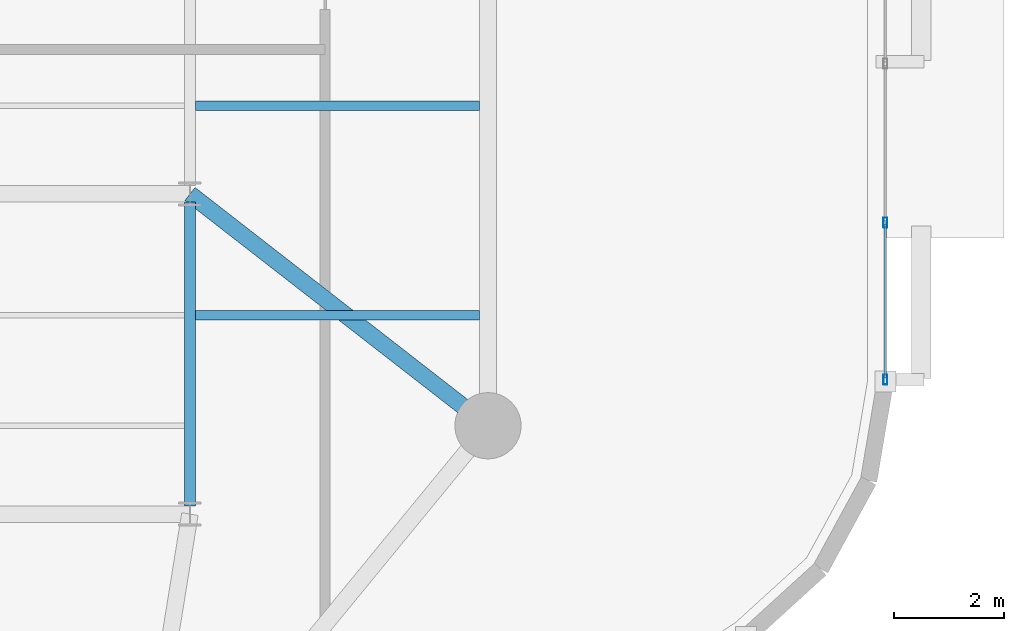
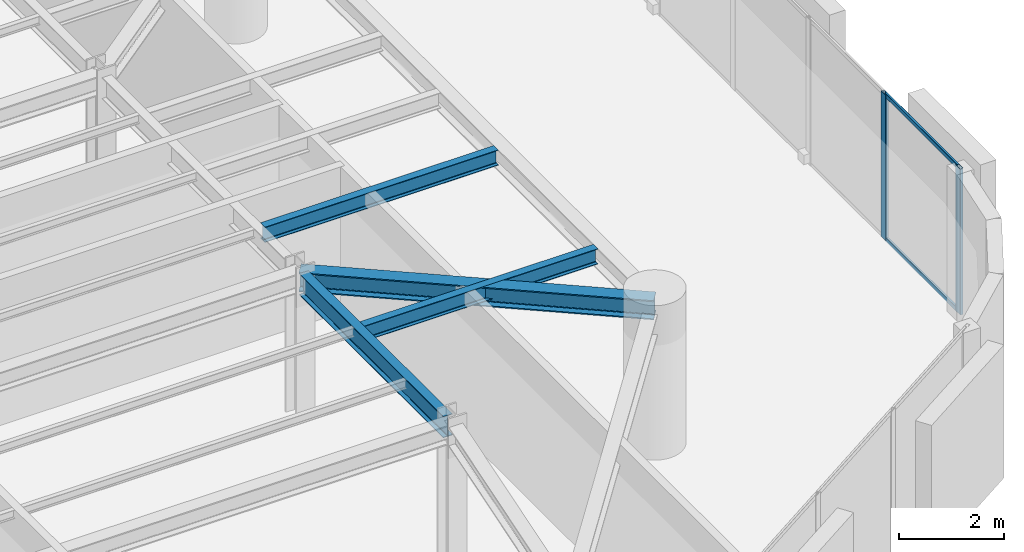
# One storey, part 3 of 14: 4 beams, 4 members, 1 element without a shape of its own.
"""IFC4 building model written with IfcOpenShell, lengths in metres."""

from ifc_helpers import new_model, si_unit, direction, frame, origin, origin_2d, place, context, subcontext, project, spatial, hollow_rectangle, i_section, extrude, material, layer, layer_set, material_profile, profile_set, type_object, element, aggregate, save


model = new_model("IFC4")

# Units and contexts
model_context = context("Model", 3, precision=1e-05, world=origin(), true_north=direction((0.0, 1.0)))
body_context = subcontext(model_context, "Body", "Model", "MODEL_VIEW")
ifc_project = project(units=[si_unit("LENGTHUNIT", "METRE"), si_unit("AREAUNIT", "SQUARE_METRE"), si_unit("VOLUMEUNIT", "CUBIC_METRE"), si_unit("PLANEANGLEUNIT", "RADIAN"), si_unit("MASSUNIT", "GRAM", prefix="KILO")], contexts=[model_context])

# Site, building, storey
site_placement = place(None, origin())
site = spatial("IfcSite", under=ifc_project, at=site_placement, CompositionType="ELEMENT")
building_placement = place(site_placement, origin())
building = spatial("IfcBuilding", under=site, at=building_placement, Name="An Khanh Terracotta Commons", CompositionType="ELEMENT")
storey_placement = place(building_placement, frame((0.0, 0.0, 154.60009765625)))
storey = spatial("IfcBuildingStorey", under=building, at=storey_placement, Name="L40", CompositionType="ELEMENT", Elevation=154.60009765625)

# Beams
ifc_material_1 = material(Name="Steel S355J2", Category="steel")
ifc_material_profile_1 = material_profile(ifc_material_1, i_section(OverallWidth=0.300048828125, OverallDepth=0.449951171875, WebThickness=0.013916015625, FlangeThickness=0.02587890625, FilletRadius=0.027099609375, at=origin_2d()), Name="HEB450")
ifc_profile_set_1 = profile_set([ifc_material_profile_1], Name="Steel S355J2")
beam_type_1 = type_object("IfcBeamType", Name="BM-HEB450", PredefinedType="BEAM", material=ifc_profile_set_1)
beam_1_placement = place(storey_placement, frame((55.800048828125, 16.0, 3.1748046875), z_axis=(-0.789363746927, 0.61392578952, 0.0), x_axis=(-0.61392578952, -0.789363746927, 0.0)))
element("IfcBeam", 1, at=beam_1_placement, inside=storey, type_object=beam_type_1, Name="L40 Mega-Column Tie Girder 3", PredefinedType="BEAM", context=body_context, shape_type="SweptSolid", body=[
    extrude(i_section(OverallWidth=0.300048828125, OverallDepth=0.449951171875, WebThickness=0.013916015625, FlangeThickness=0.02587890625, FilletRadius=0.027099609375, at=origin_2d()), origin(), (0.0, 0.0, 1.0), 6.841064453125),
])
ifc_material_profile_2 = material_profile(ifc_material_1, i_section(OverallWidth=0.169921875, OverallDepth=0.360107421875, WebThickness=0.008056640625, FlangeThickness=0.0126953125, FilletRadius=0.01806640625, at=origin_2d()), Name="IPE360")
ifc_profile_set_2 = profile_set([ifc_material_profile_2], Name="Steel S355J2")
beam_type_2 = type_object("IfcBeamType", Name="BM-IPE360", PredefinedType="JOIST", material=ifc_profile_set_2)
for number, where, z_axis, x_axis, name in (
    (2, (50.5, 18.0, 3.219970703125), (1.0, 0.0, 0.0), (0.0, 1.0, 0.0), "L40 Riverfront Composite Joist 2"),
    (3, (50.5, 21.800048828125, 3.219970703125), (1.0, 0.0, 0.0), (0.0, 1.0, 0.0), "L40 Riverfront Composite Joist 3"),
):
    element("IfcBeam", number, at=place(storey_placement, frame(where, z_axis=z_axis, x_axis=x_axis)), inside=storey, type_object=beam_type_2, Name=name, PredefinedType="JOIST", context=body_context, shape_type="SweptSolid", body=[
        extrude(i_section(OverallWidth=0.169921875, OverallDepth=0.360107421875, WebThickness=0.008056640625, FlangeThickness=0.0126953125, FilletRadius=0.01806640625, at=origin_2d()), origin(), (0.0, 0.0, 1.0), 5.14990234375),
    ])
ifc_material_profile_3 = material_profile(ifc_material_1, i_section(OverallWidth=0.199951171875, OverallDepth=0.5, WebThickness=0.01025390625, FlangeThickness=0.01611328125, FilletRadius=0.02099609375, at=origin_2d()), Name="IPE500")
ifc_profile_set_3 = profile_set([ifc_material_profile_3], Name="Steel S355J2")
beam_type_3 = type_object("IfcBeamType", Name="BM-IPE500", PredefinedType="BEAM", material=ifc_profile_set_3)
beam_2_placement = place(storey_placement, frame((50.39990234375, 14.550048828125, 3.14990234375), z_axis=(0.0, 1.0, 0.0), x_axis=(-1.0, 0.0, 0.0)))
element("IfcBeam", 4, at=beam_2_placement, inside=storey, type_object=beam_type_3, Name="L40 East Spine Girder 1", PredefinedType="BEAM", context=body_context, shape_type="SweptSolid", body=[
    extrude(i_section(OverallWidth=0.199951171875, OverallDepth=0.5, WebThickness=0.01025390625, FlangeThickness=0.01611328125, FilletRadius=0.02099609375, at=origin_2d()), origin(), (0.0, 0.0, 1.0), 5.5),
])

# Curtain wall, members
ifc_material_2 = material(Name="Anodised Aluminium 6063-T6", Category="aluminium")
ifc_layer = layer(ifc_material_2, 0.2099609375, Name="Anodised Aluminium 6063-T6")
ifc_layer_set = layer_set([ifc_layer], Name="Anodised Aluminium 6063-T6")
curtain_wall_type = type_object("IfcCurtainWallType", Name="CW-SYS-03", PredefinedType="USERDEFINED", material=ifc_layer_set)
curtain_wall_placement = place(storey_placement, origin())
curtain_wall = element("IfcCurtainWall", 5, at=curtain_wall_placement, inside=storey, type_object=curtain_wall_type, Name="L40 CW-03 Unitised Curtain Wall CW-L40-12", ObjectType="UNITISED CURTAIN WALL", PredefinedType="USERDEFINED")
ifc_material_profile_4 = material_profile(ifc_material_2, hollow_rectangle(XDim=0.070068359375, YDim=0.179931640625, WallThickness=0.00390625, InnerFilletRadius=0.00390625, OuterFilletRadius=0.008056640625, at=origin_2d()), Name="RHS180x70x4")
ifc_profile_set_4 = profile_set([ifc_material_profile_4], Name="Anodised Aluminium 6063-T6")
member_type_1 = type_object("IfcMemberType", Name="CWM-RHS180x70x4", PredefinedType="MULLION", material=ifc_profile_set_4)
member_1_placement = place(storey_placement, frame((63.0, 16.8349609375, 0.0), z_axis=(0.0, 0.0, 1.0), x_axis=(-1.0, 0.0, 0.0)))
member_1 = element("IfcMember", 6, at=member_1_placement, type_object=member_type_1, Name="CW-03 mullion 1", PredefinedType="MULLION", context=body_context, shape_type="SweptSolid", body=[
    extrude(hollow_rectangle(XDim=0.070068359375, YDim=0.179931640625, WallThickness=0.00390625, InnerFilletRadius=0.00390625, OuterFilletRadius=0.008056640625, at=origin_2d()), origin(), (0.0, 0.0, 1.0), 3.39990234375),
])
member_2_placement = place(storey_placement, frame((63.0, 19.679931640625, 0.0), z_axis=(0.0, 0.0, 1.0), x_axis=(-1.0, 0.0, 0.0)))
member_2 = element("IfcMember", 7, at=member_2_placement, type_object=member_type_1, Name="CW-03 mullion 2", PredefinedType="MULLION", context=body_context, shape_type="SweptSolid", body=[
    extrude(hollow_rectangle(XDim=0.070068359375, YDim=0.179931640625, WallThickness=0.00390625, InnerFilletRadius=0.00390625, OuterFilletRadius=0.008056640625, at=origin_2d()), origin(), (0.0, 0.0, 1.0), 3.39990234375),
])
ifc_material_profile_5 = material_profile(ifc_material_2, hollow_rectangle(XDim=0.050048828125, YDim=0.10009765625, WallThickness=0.003173828125, InnerFilletRadius=0.003173828125, OuterFilletRadius=0.00634765625, at=origin_2d()), Name="RHS100x50x3.2")
ifc_profile_set_5 = profile_set([ifc_material_profile_5], Name="Anodised Aluminium 6063-T6")
member_type_2 = type_object("IfcMemberType", Name="CWT-RHS100x50x3.2", PredefinedType="USERDEFINED", material=ifc_profile_set_5)
member_3_placement = place(storey_placement, frame((63.0, 16.8701171875, 0.02490234375), z_axis=(0.0, 1.0, 0.0), x_axis=(-1.0, 0.0, 0.0)))
member_3 = element("IfcMember", 8, at=member_3_placement, type_object=member_type_2, Name="CW-03 transom 1.1", ObjectType="TRANSOM", PredefinedType="USERDEFINED", context=body_context, shape_type="SweptSolid", body=[
    extrude(hollow_rectangle(XDim=0.050048828125, YDim=0.10009765625, WallThickness=0.003173828125, InnerFilletRadius=0.003173828125, OuterFilletRadius=0.00634765625, at=origin_2d()), origin(), (0.0, 0.0, 1.0), 2.77490234375),
])
member_4_placement = place(storey_placement, frame((63.0, 16.8701171875, 3.375), z_axis=(0.0, 1.0, 0.0), x_axis=(-1.0, 0.0, 0.0)))
member_4 = element("IfcMember", 9, at=member_4_placement, type_object=member_type_2, Name="CW-03 transom 1.2", ObjectType="TRANSOM", PredefinedType="USERDEFINED", context=body_context, shape_type="SweptSolid", body=[
    extrude(hollow_rectangle(XDim=0.050048828125, YDim=0.10009765625, WallThickness=0.003173828125, InnerFilletRadius=0.003173828125, OuterFilletRadius=0.00634765625, at=origin_2d()), origin(), (0.0, 0.0, 1.0), 2.77490234375),
])
aggregate(curtain_wall, [member_1, member_2, member_3, member_4])

save(model, "model.ifc")
